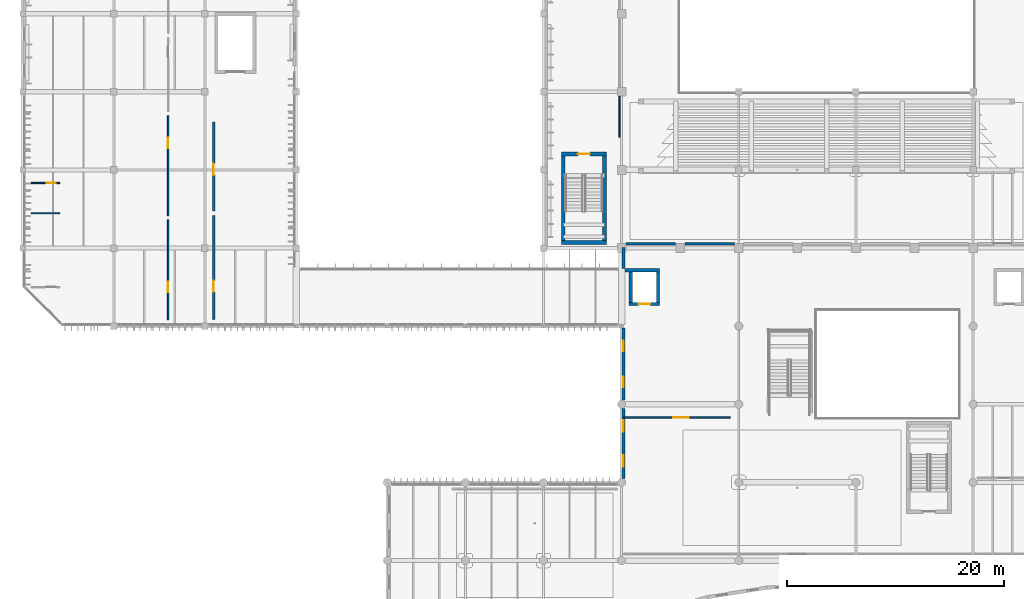
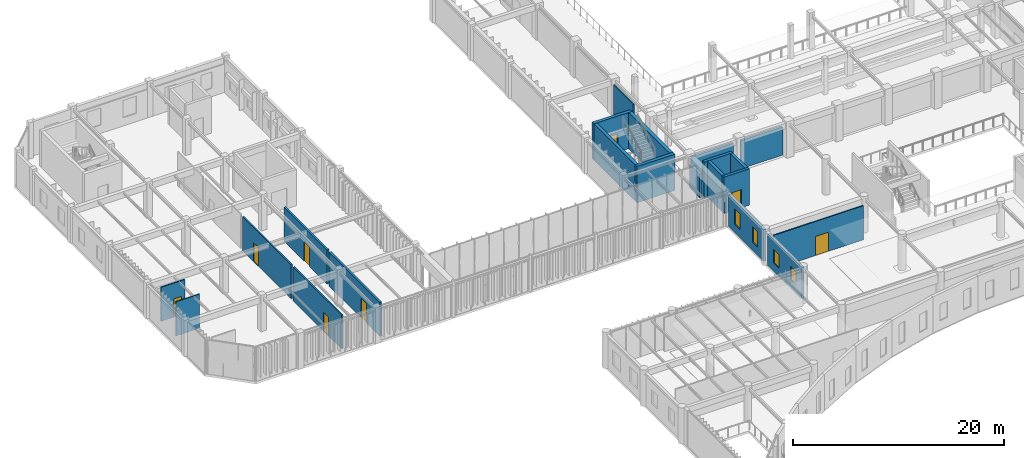
# One storey, part 39 of 122: 21 walls, 8 doors, 4 windows, 12 openings.
"""IFC4 building model written with IfcOpenShell, lengths in metres."""

from ifc_helpers import new_model, si_unit, direction, frame, frame_2d, origin, place, context, subcontext, project, spatial, rectangle, extrude, material, layer, layer_set, type_object, element, fill, save


model = new_model("IFC4")

# Units and contexts
model_context = context("Model", 3, precision=1e-05, world=origin(), true_north=direction((0.0, 1.0)))
body_context = subcontext(model_context, "Body", "Model", "MODEL_VIEW")
ifc_project = project(units=[si_unit("LENGTHUNIT", "METRE"), si_unit("AREAUNIT", "SQUARE_METRE"), si_unit("VOLUMEUNIT", "CUBIC_METRE"), si_unit("PLANEANGLEUNIT", "RADIAN"), si_unit("MASSUNIT", "GRAM", prefix="KILO")], contexts=[model_context])

# Site, building, storey
site_placement = place(None, origin())
site = spatial("IfcSite", under=ifc_project, at=site_placement, CompositionType="ELEMENT")
building_placement = place(site_placement, origin())
building = spatial("IfcBuilding", under=site, at=building_placement, Name="Tazoul Stagehouse", CompositionType="ELEMENT")
storey_placement = place(building_placement, frame((0.0, 0.0, 4.800048828125)))
storey = spatial("IfcBuildingStorey", under=building, at=storey_placement, Name="L01", CompositionType="ELEMENT", Elevation=4.800048828125)

# Walls
ifc_material_1 = material(Name="Gypsum Acoustic Partition", Category="gypsum")
ifc_layer_1 = layer(ifc_material_1, 0.25, Name="Gypsum Acoustic Partition")
ifc_layer_set_1 = layer_set([ifc_layer_1], Name="Gypsum Acoustic Partition")
wall_type_1 = type_object("IfcWallType", Name="Acoustic Hall Double-Stud Partition 250", PredefinedType="PARTITIONING", material=ifc_layer_set_1)
for number, where, z_axis, x_axis, name in (
    (1, (67.97998046875, 52.199951171875, 0.0), (0.0, 0.0, 1.0), (-1.0, 0.0, 0.0), "L01 Partition PW-250 (PW-RM-L01-035-S-S6)"),
    (2, (62.580078125, 52.199951171875, 0.0), (0.0, 0.0, 1.0), (-1.0, 0.0, 0.0), "L01 Partition PW-250 (PW-RM-L01-035-S-S7)"),
):
    element("IfcWall", number, at=place(storey_placement, frame(where, z_axis=z_axis, x_axis=x_axis)), inside=storey, type_object=wall_type_1, Name=name, PredefinedType="PARTITIONING", context=body_context, shape_type="SweptSolid", body=[
        extrude(rectangle(XDim=4.56005859375, YDim=0.25, at=frame_2d((2.280029296875, 0.0))), origin(), (0.0, 0.0, 1.0), 3.260009765625),
    ])
ifc_material_2 = material(Name="Concrete C40/50", Category="concrete")
ifc_layer_2 = layer(ifc_material_2, 0.35009765625, Name="Concrete C40/50")
ifc_layer_set_2 = layer_set([ifc_layer_2], Name="Concrete C40/50")
wall_type_2 = type_object("IfcWallType", Name="Core Shear Wall 350", PredefinedType="SOLIDWALL", material=ifc_layer_set_2)
wall_1_placement = place(storey_placement, frame((56.199951171875, 52.31494140625, 0.0), z_axis=(0.0, 0.0, 1.0), x_axis=(-1.0, 0.0, 0.0)))
element("IfcWall", 3, at=wall_1_placement, inside=storey, type_object=wall_type_2, Name="L01 Core Wall CW-350 (SHF-ST-05-south)", PredefinedType="SOLIDWALL", context=body_context, shape_type="SweptSolid", body=[
    extrude(rectangle(XDim=4.14990234375, YDim=0.35009765625, at=frame_2d((2.074951171875, 0.0))), origin(), (0.0, 0.0, 1.0), 4.199951171875),
])
wall_2_placement = place(storey_placement, frame((52.22509765625, 52.489990234375, 0.0), z_axis=(0.0, 0.0, 1.0), x_axis=(0.0, 1.0, 0.0)))
element("IfcWall", 4, at=wall_2_placement, inside=storey, type_object=wall_type_2, Name="L01 Core Wall CW-350 (SHF-ST-05-west)", PredefinedType="SOLIDWALL", context=body_context, shape_type="SweptSolid", body=[
    extrude(rectangle(XDim=7.800048828125, YDim=0.35009765625, at=frame_2d((3.89990234375, 0.0))), origin(), (0.0, 0.0, 1.0), 4.199951171875),
])

# Wall, opening, door
wall_3_placement = place(storey_placement, frame((52.050048828125, 60.465087890625, 0.0), z_axis=(0.0, 0.0, 1.0), x_axis=(1.0, 0.0, 0.0)))
wall_3 = element("IfcWall", 5, at=wall_3_placement, inside=storey, type_object=wall_type_2, Name="L01 Core Wall CW-350 (SHF-ST-05-north)", PredefinedType="SOLIDWALL", context=body_context, shape_type="SweptSolid", body=[
    extrude(rectangle(XDim=4.14990234375, YDim=0.35009765625, at=frame_2d((2.074951171875, 0.0))), origin(), (0.0, 0.0, 1.0), 4.199951171875),
])
opening_1_placement = place(wall_3_placement, frame((1.52490234375, 0.0, 0.0)))
opening_1 = element("IfcOpeningElement", 6, at=opening_1_placement, cuts=wall_3, Name="Opening FD-01", PredefinedType="OPENING", context=body_context, shape_type="SweptSolid", body=[
    extrude(rectangle(XDim=1.10009765625, YDim=2.14990234375, at=frame_2d((0.550048828125, 1.074951171875))), frame((0.0, 0.195068359375, 0.0), z_axis=(0.0, -1.0, 0.0), x_axis=(1.0, 0.0, 0.0)), (0.0, 0.0, 1.0), 0.39013671875),
])
ifc_material_3 = material(Name="Powder-Coated Galvanised Acoustic Steel", Category="steel")
door_type_1 = type_object("IfcDoorType", Name="Core Escape Stair Fire Door 1100x2150", OperationType="NOTDEFINED", PredefinedType="DOOR", material=ifc_material_3)
door_1_placement = place(opening_1_placement, origin())
door_1 = element("IfcDoor", 7, at=door_1_placement, inside=storey, type_object=door_type_1, Name="L01 Escape Stair Fire Door FD-01 (ST-05)", OperationType="SINGLE_SWING_LEFT", OverallHeight=2.14990234375, OverallWidth=1.10009765625, PredefinedType="DOOR", context=body_context, shape_type="SweptSolid", body=[
    extrude(rectangle(XDim=1.10009765625, YDim=2.14990234375, at=frame_2d((0.550048828125, 1.074951171875))), frame((0.0, 0.02490234375, 0.0), z_axis=(0.0, -1.0, 0.0), x_axis=(1.0, 0.0, 0.0)), (0.0, 0.0, 1.0), 0.050048828125),
])
fill(opening_1, door_1)

# Wall
wall_4_placement = place(storey_placement, frame((56.02490234375, 60.2900390625, 0.0), z_axis=(0.0, 0.0, 1.0), x_axis=(0.0, -1.0, 0.0)))
element("IfcWall", 8, at=wall_4_placement, inside=storey, type_object=wall_type_2, Name="L01 Core Wall CW-350 (SHF-ST-05-east)", PredefinedType="SOLIDWALL", context=body_context, shape_type="SweptSolid", body=[
    extrude(rectangle(XDim=7.800048828125, YDim=0.35009765625, at=frame_2d((3.89990234375, 0.0))), origin(), (0.0, 0.0, 1.0), 4.199951171875),
])

# Wall, opening, door
ifc_layer_3 = layer(ifc_material_1, 0.14990234375, Name="Gypsum Acoustic Partition")
ifc_layer_set_3 = layer_set([ifc_layer_3], Name="Gypsum Acoustic Partition")
wall_type_3 = type_object("IfcWallType", Name="Dressing Suite Acoustic Partition 150", PredefinedType="PARTITIONING", material=ifc_layer_set_3)
wall_5_placement = place(storey_placement, frame((15.800048828125, 54.39990234375, 0.0), z_axis=(0.0, 0.0, 1.0), x_axis=(0.0, -1.0, 0.0)))
wall_5 = element("IfcWall", 9, at=wall_5_placement, inside=storey, type_object=wall_type_3, Name="L01 Partition PW-150 (PW-RM-L01-049-E)", PredefinedType="PARTITIONING", context=body_context, shape_type="SweptSolid", body=[
    extrude(rectangle(XDim=9.199951171875, YDim=0.14990234375, at=frame_2d((4.60009765625, 0.0))), origin(), (0.0, 0.0, 1.0), 3.93994140625),
])
opening_2_placement = place(wall_5_placement, frame((5.7080078125, 0.0, 0.0)))
opening_2 = element("IfcOpeningElement", 10, at=opening_2_placement, cuts=wall_5, Name="Opening ID-03", PredefinedType="OPENING", context=body_context, shape_type="SweptSolid", body=[
    extrude(rectangle(XDim=0.949951171875, YDim=2.199951171875, at=frame_2d((0.47509765625, 1.10009765625))), frame((0.0, 0.094970703125, 0.0), z_axis=(0.0, -1.0, 0.0), x_axis=(1.0, 0.0, 0.0)), (0.0, 0.0, 1.0), 0.18994140625),
])
ifc_material_4 = material(Name="Acoustic Cedar Timber", Category="wood")
door_type_2 = type_object("IfcDoorType", Name="Dressing Suite Acoustic Door 950x2200", OperationType="NOTDEFINED", PredefinedType="DOOR", material=ifc_material_4)
door_2_placement = place(opening_2_placement, origin())
door_2 = element("IfcDoor", 11, at=door_2_placement, inside=storey, type_object=door_type_2, Name="L01 Star Dressing Suite 05 Door", OperationType="SINGLE_SWING_LEFT", OverallHeight=2.199951171875, OverallWidth=0.949951171875, PredefinedType="DOOR", context=body_context, shape_type="SweptSolid", body=[
    extrude(rectangle(XDim=0.949951171875, YDim=2.199951171875, at=frame_2d((0.47509765625, 1.10009765625))), frame((0.0, 0.02490234375, 0.0), z_axis=(0.0, -1.0, 0.0), x_axis=(1.0, 0.0, 0.0)), (0.0, 0.0, 1.0), 0.050048828125),
])
fill(opening_2, door_2)

wall_6_placement = place(storey_placement, frame((15.800048828125, 64.0, 0.0), z_axis=(0.0, 0.0, 1.0), x_axis=(0.0, -1.0, 0.0)))
wall_6 = element("IfcWall", 12, at=wall_6_placement, inside=storey, type_object=wall_type_3, Name="L01 Partition PW-150 (PW-RM-L01-051-E)", PredefinedType="PARTITIONING", context=body_context, shape_type="SweptSolid", body=[
    extrude(rectangle(XDim=9.199951171875, YDim=0.14990234375, at=frame_2d((4.60009765625, 0.0))), origin(), (0.0, 0.0, 1.0), 3.93994140625),
])
opening_3_placement = place(wall_6_placement, frame((2.0546875, 0.0, 0.0)))
opening_3 = element("IfcOpeningElement", 13, at=opening_3_placement, cuts=wall_6, Name="Opening ID-03", PredefinedType="OPENING", context=body_context, shape_type="SweptSolid", body=[
    extrude(rectangle(XDim=0.949951171875, YDim=2.199951171875, at=frame_2d((0.47509765625, 1.10009765625))), frame((0.0, 0.094970703125, 0.0), z_axis=(0.0, -1.0, 0.0), x_axis=(1.0, 0.0, 0.0)), (0.0, 0.0, 1.0), 0.18994140625),
])
door_3_placement = place(opening_3_placement, origin())
door_3 = element("IfcDoor", 14, at=door_3_placement, inside=storey, type_object=door_type_2, Name="L01 Star Dressing Suite 06 Door", OperationType="SINGLE_SWING_LEFT", OverallHeight=2.199951171875, OverallWidth=0.949951171875, PredefinedType="DOOR", context=body_context, shape_type="SweptSolid", body=[
    extrude(rectangle(XDim=0.949951171875, YDim=2.199951171875, at=frame_2d((0.47509765625, 1.10009765625))), frame((0.0, 0.02490234375, 0.0), z_axis=(0.0, -1.0, 0.0), x_axis=(1.0, 0.0, 0.0)), (0.0, 0.0, 1.0), 0.050048828125),
])
fill(opening_3, door_3)

# Wall, openings, windows
ifc_material_5 = material(Name="Precast concrete C40/50", Category="concrete")
ifc_layer_4 = layer(ifc_material_5, 0.280029296875, Name="Precast concrete C40/50")
ifc_layer_set_4 = layer_set([ifc_layer_4], Name="Precast concrete C40/50")
wall_type_4 = type_object("IfcWallType", Name="Insulated Precast Acoustic Cladding Wall 280", PredefinedType="SOLIDWALL", material=ifc_layer_set_4)
wall_7_placement = place(storey_placement, frame((57.760009765625, 30.580078125, 0.0), z_axis=(0.0, 0.0, 1.0), x_axis=(0.0, 1.0, 0.0)))
wall_7 = element("IfcWall", 15, at=wall_7_placement, inside=storey, type_object=wall_type_4, Name="L01 Wall EW-280 (WALL-V5-THRW-L01-S1)", PredefinedType="SOLIDWALL", context=body_context, shape_type="SweptSolid", body=[
    extrude(rectangle(XDim=6.43994140625, YDim=0.280029296875, at=frame_2d((3.219970703125, 0.0))), origin(), (0.0, 0.0, 1.0), 3.65283203125),
])
opening_4_placement = place(wall_7_placement, frame((1.0849609375, 0.0, 0.949951171875)))
opening_4 = element("IfcOpeningElement", 16, at=opening_4_placement, cuts=wall_7, Name="Opening WN-38", PredefinedType="OPENING", context=body_context, shape_type="SweptSolid", body=[
    extrude(rectangle(XDim=1.050048828125, YDim=1.60009765625, at=frame_2d((0.52490234375, 0.800048828125))), frame((0.0, 0.159912109375, 0.0), z_axis=(0.0, -1.0, 0.0), x_axis=(1.0, 0.0, 0.0)), (0.0, 0.0, 1.0), 0.320068359375),
])
opening_5_placement = place(wall_7_placement, frame((4.304931640625, 0.0, 0.949951171875)))
opening_5 = element("IfcOpeningElement", 17, at=opening_5_placement, cuts=wall_7, Name="Opening WN-38", PredefinedType="OPENING", context=body_context, shape_type="SweptSolid", body=[
    extrude(rectangle(XDim=1.050048828125, YDim=1.60009765625, at=frame_2d((0.52490234375, 0.800048828125))), frame((0.0, 0.159912109375, 0.0), z_axis=(0.0, -1.0, 0.0), x_axis=(1.0, 0.0, 0.0)), (0.0, 0.0, 1.0), 0.320068359375),
])
ifc_material_6 = material(Name="Double Low-E Acoustic Laminated Glass", Category="glass")
window_type_1 = type_object("IfcWindowType", Name="Architectural Acoustic Facade Window 1050x1600", PartitioningType="SINGLE_PANEL", PredefinedType="WINDOW", material=ifc_material_6)
window_1_placement = place(opening_4_placement, origin())
window_1 = element("IfcWindow", 18, at=window_1_placement, inside=storey, type_object=window_type_1, Name="L01 Window WN-38 (WALL-V5-THRW-L01-S1-W1)", OverallHeight=1.60009765625, OverallWidth=1.050048828125, PartitioningType="SINGLE_PANEL", PredefinedType="WINDOW", context=body_context, shape_type="SweptSolid", body=[
    extrude(rectangle(XDim=1.050048828125, YDim=1.60009765625, at=frame_2d((0.52490234375, 0.800048828125))), frame((0.0, 0.030029296875, 0.0), z_axis=(0.0, -1.0, 0.0), x_axis=(1.0, 0.0, 0.0)), (0.0, 0.0, 1.0), 0.06005859375),
])
fill(opening_4, window_1)
window_2_placement = place(opening_5_placement, origin())
window_2 = element("IfcWindow", 19, at=window_2_placement, inside=storey, type_object=window_type_1, Name="L01 Window WN-38 (WALL-V5-THRW-L01-S1-W2)", OverallHeight=1.60009765625, OverallWidth=1.050048828125, PartitioningType="SINGLE_PANEL", PredefinedType="WINDOW", context=body_context, shape_type="SweptSolid", body=[
    extrude(rectangle(XDim=1.050048828125, YDim=1.60009765625, at=frame_2d((0.52490234375, 0.800048828125))), frame((0.0, 0.030029296875, 0.0), z_axis=(0.0, -1.0, 0.0), x_axis=(1.0, 0.0, 0.0)), (0.0, 0.0, 1.0), 0.06005859375),
])
fill(opening_5, window_2)

wall_8_placement = place(storey_placement, frame((57.760009765625, 37.780029296875, 0.0), z_axis=(0.0, 0.0, 1.0), x_axis=(0.0, 1.0, 0.0)))
wall_8 = element("IfcWall", 20, at=wall_8_placement, inside=storey, type_object=wall_type_4, Name="L01 Wall EW-280 (WALL-V5-THRW-L01-S2)", PredefinedType="SOLIDWALL", context=body_context, shape_type="SweptSolid", body=[
    extrude(rectangle(XDim=6.653076171875, YDim=0.280029296875, at=frame_2d((3.32666015625, 0.0))), origin(), (0.0, 0.0, 1.0), 3.65283203125),
])
opening_6_placement = place(wall_8_placement, frame((1.183349609375, 0.0, 0.949951171875)))
opening_6 = element("IfcOpeningElement", 21, at=opening_6_placement, cuts=wall_8, Name="Opening WN-60", PredefinedType="OPENING", context=body_context, shape_type="SweptSolid", body=[
    extrude(rectangle(XDim=0.9599609375, YDim=1.800048828125, at=frame_2d((0.47998046875, 0.89990234375))), frame((0.0, 0.159912109375, 0.0), z_axis=(0.0, -1.0, 0.0), x_axis=(1.0, 0.0, 0.0)), (0.0, 0.0, 1.0), 0.320068359375),
])
opening_7_placement = place(wall_8_placement, frame((4.509765625, 0.0, 0.949951171875)))
opening_7 = element("IfcOpeningElement", 22, at=opening_7_placement, cuts=wall_8, Name="Opening WN-60", PredefinedType="OPENING", context=body_context, shape_type="SweptSolid", body=[
    extrude(rectangle(XDim=0.9599609375, YDim=1.800048828125, at=frame_2d((0.47998046875, 0.89990234375))), frame((0.0, 0.159912109375, 0.0), z_axis=(0.0, -1.0, 0.0), x_axis=(1.0, 0.0, 0.0)), (0.0, 0.0, 1.0), 0.320068359375),
])
window_type_2 = type_object("IfcWindowType", Name="Architectural Acoustic Facade Window 960x1800", PartitioningType="SINGLE_PANEL", PredefinedType="WINDOW", material=ifc_material_6)
window_3_placement = place(opening_6_placement, origin())
window_3 = element("IfcWindow", 23, at=window_3_placement, inside=storey, type_object=window_type_2, Name="L01 Window WN-60 (WALL-V5-THRW-L01-S2-W1)", OverallHeight=1.800048828125, OverallWidth=0.9599609375, PartitioningType="SINGLE_PANEL", PredefinedType="WINDOW", context=body_context, shape_type="SweptSolid", body=[
    extrude(rectangle(XDim=0.9599609375, YDim=1.800048828125, at=frame_2d((0.47998046875, 0.89990234375))), frame((0.0, 0.030029296875, 0.0), z_axis=(0.0, -1.0, 0.0), x_axis=(1.0, 0.0, 0.0)), (0.0, 0.0, 1.0), 0.06005859375),
])
fill(opening_6, window_3)
window_4_placement = place(opening_7_placement, origin())
window_4 = element("IfcWindow", 24, at=window_4_placement, inside=storey, type_object=window_type_2, Name="L01 Window WN-60 (WALL-V5-THRW-L01-S2-W2)", OverallHeight=1.800048828125, OverallWidth=0.9599609375, PartitioningType="SINGLE_PANEL", PredefinedType="WINDOW", context=body_context, shape_type="SweptSolid", body=[
    extrude(rectangle(XDim=0.9599609375, YDim=1.800048828125, at=frame_2d((0.47998046875, 0.89990234375))), frame((0.0, 0.030029296875, 0.0), z_axis=(0.0, -1.0, 0.0), x_axis=(1.0, 0.0, 0.0)), (0.0, 0.0, 1.0), 0.06005859375),
])
fill(opening_7, window_4)

# Wall
wall_9_placement = place(storey_placement, frame((57.760009765625, 49.89990234375, 0.0), z_axis=(0.0, 0.0, 1.0), x_axis=(0.0, 1.0, 0.0)))
element("IfcWall", 25, at=wall_9_placement, inside=storey, type_object=wall_type_4, Name="L01 Wall EW-280 (WALL-V5-THRW-N-L01)", PredefinedType="SOLIDWALL", context=body_context, shape_type="SweptSolid", body=[
    extrude(rectangle(XDim=1.9501953125, YDim=0.280029296875, at=frame_2d((0.97509765625, 0.0))), origin(), (0.0, 0.0, 1.0), 2.722900390625),
])

# Wall, opening, door
ifc_layer_5 = layer(ifc_material_2, 0.300048828125, Name="Concrete C40/50")
ifc_layer_set_5 = layer_set([ifc_layer_5], Name="Concrete C40/50")
wall_type_5 = type_object("IfcWallType", Name="Lift Shaft Wall 300", PredefinedType="SOLIDWALL", material=ifc_layer_set_5)
wall_10_placement = place(storey_placement, frame((61.10009765625, 46.64990234375, 0.0), z_axis=(0.0, 0.0, 1.0), x_axis=(-1.0, 0.0, 0.0)))
wall_10 = element("IfcWall", 26, at=wall_10_placement, inside=storey, type_object=wall_type_5, Name="L01 Core Wall CW-300 (LSHF-PL-01-south)", PredefinedType="SOLIDWALL", context=body_context, shape_type="SweptSolid", body=[
    extrude(rectangle(XDim=2.800048828125, YDim=0.300048828125, at=frame_2d((1.39990234375, 0.0))), origin(), (0.0, 0.0, 1.0), 4.199951171875),
])
opening_8_placement = place(wall_10_placement, frame((0.875, 0.0, 0.0)))
opening_8 = element("IfcOpeningElement", 27, at=opening_8_placement, cuts=wall_10, Name="Opening LD-03", PredefinedType="OPENING", context=body_context, shape_type="SweptSolid", body=[
    extrude(rectangle(XDim=1.050048828125, YDim=2.10009765625, at=frame_2d((0.52490234375, 1.050048828125))), frame((0.0, 0.169921875, 0.0), z_axis=(0.0, -1.0, 0.0), x_axis=(1.0, 0.0, 0.0)), (0.0, 0.0, 1.0), 0.340087890625),
])
door_type_3 = type_object("IfcDoorType", Name="Passenger Lift Sliding Landing Door 1050x2100", OperationType="DOUBLE_DOOR_SLIDING", PredefinedType="DOOR", material=ifc_material_3)
door_4_placement = place(opening_8_placement, origin())
door_4 = element("IfcDoor", 28, at=door_4_placement, inside=storey, type_object=door_type_3, Name="L01 Lift Landing Sliding Door LD-03 (PL-01)", OperationType="DOUBLE_DOOR_SLIDING", OverallHeight=2.10009765625, OverallWidth=1.050048828125, PredefinedType="DOOR", context=body_context, shape_type="SweptSolid", body=[
    extrude(rectangle(XDim=1.050048828125, YDim=2.10009765625, at=frame_2d((0.52490234375, 1.050048828125))), frame((0.0, 0.02490234375, 0.0), z_axis=(0.0, -1.0, 0.0), x_axis=(1.0, 0.0, 0.0)), (0.0, 0.0, 1.0), 0.050048828125),
])
fill(opening_8, door_4)

# Walls
wall_11_placement = place(storey_placement, frame((58.449951171875, 46.800048828125, 0.0), z_axis=(0.0, 0.0, 1.0), x_axis=(0.0, 1.0, 0.0)))
element("IfcWall", 29, at=wall_11_placement, inside=storey, type_object=wall_type_5, Name="L01 Core Wall CW-300 (LSHF-PL-01-west)", PredefinedType="SOLIDWALL", context=body_context, shape_type="SweptSolid", body=[
    extrude(rectangle(XDim=2.800048828125, YDim=0.300048828125, at=frame_2d((1.39990234375, 0.0))), origin(), (0.0, 0.0, 1.0), 4.199951171875),
])
wall_12_placement = place(storey_placement, frame((57.909912109375, 49.75, 0.0), z_axis=(0.0, 0.0, 1.0), x_axis=(1.0, 0.0, 0.0)))
element("IfcWall", 30, at=wall_12_placement, inside=storey, type_object=wall_type_5, Name="L01 Core Wall CW-300 (LSHF-PL-01-north)", PredefinedType="SOLIDWALL", context=body_context, shape_type="SweptSolid", body=[
    extrude(rectangle(XDim=3.190185546875, YDim=0.300048828125, at=frame_2d((1.59521484375, 0.0))), origin(), (0.0, 0.0, 1.0), 4.199951171875),
])
wall_13_placement = place(storey_placement, frame((60.949951171875, 49.60009765625, 0.0), z_axis=(0.0, 0.0, 1.0), x_axis=(0.0, -1.0, 0.0)))
element("IfcWall", 31, at=wall_13_placement, inside=storey, type_object=wall_type_5, Name="L01 Core Wall CW-300 (LSHF-PL-01-east)", PredefinedType="SOLIDWALL", context=body_context, shape_type="SweptSolid", body=[
    extrude(rectangle(XDim=2.800048828125, YDim=0.300048828125, at=frame_2d((1.39990234375, 0.0))), origin(), (0.0, 0.0, 1.0), 4.199951171875),
])
ifc_layer_6 = layer(ifc_material_1, 0.1298828125, Name="Gypsum Acoustic Partition")
ifc_layer_set_6 = layer_set([ifc_layer_6], Name="Gypsum Acoustic Partition")
wall_type_6 = type_object("IfcWallType", Name="Office Drywall Partition 130", PredefinedType="PARTITIONING", material=ifc_layer_set_6)
wall_14_placement = place(storey_placement, frame((57.39990234375, 65.780029296875, 0.0), z_axis=(0.0, 0.0, 1.0), x_axis=(0.0, -1.0, 0.0)))
element("IfcWall", 32, at=wall_14_placement, inside=storey, type_object=wall_type_6, Name="L01 Partition PW-130 (PW-RM-L01-111-E-S4)", PredefinedType="PARTITIONING", context=body_context, shape_type="SweptSolid", body=[
    extrude(rectangle(XDim=3.780029296875, YDim=0.1298828125, at=frame_2d((1.89013671875, 0.0))), origin(), (0.0, 0.0, 1.0), 3.550048828125),
])

# Wall, opening, door
wall_15_placement = place(storey_placement, frame((67.60009765625, 36.199951171875, 0.0), z_axis=(0.0, 0.0, 1.0), x_axis=(-1.0, 0.0, 0.0)))
wall_15 = element("IfcWall", 33, at=wall_15_placement, inside=storey, type_object=wall_type_6, Name="L01 Partition PW-130 (PW-RM-L01-117-S)", PredefinedType="PARTITIONING", context=body_context, shape_type="SweptSolid", body=[
    extrude(rectangle(XDim=9.800048828125, YDim=0.1298828125, at=frame_2d((4.89990234375, 0.0))), origin(), (0.0, 0.0, 1.0), 3.93994140625),
])
opening_9_placement = place(wall_15_placement, frame((3.8046875, 0.0, 0.0)))
opening_9 = element("IfcOpeningElement", 34, at=opening_9_placement, cuts=wall_15, Name="Opening ID-21", PredefinedType="OPENING", context=body_context, shape_type="SweptSolid", body=[
    extrude(rectangle(XDim=1.449951171875, YDim=2.199951171875, at=frame_2d((0.72509765625, 1.10009765625))), frame((0.0, 0.0849609375, 0.0), z_axis=(0.0, -1.0, 0.0), x_axis=(1.0, 0.0, 0.0)), (0.0, 0.0, 1.0), 0.169921875),
])
door_type_4 = type_object("IfcDoorType", Name="Press Conference Double Door 1450x2200", OperationType="DOUBLE_DOOR_SINGLE_SWING", PredefinedType="DOOR", material=ifc_material_4)
door_5_placement = place(opening_9_placement, origin())
door_5 = element("IfcDoor", 35, at=door_5_placement, inside=storey, type_object=door_type_4, Name="L01 Dress Circle West Patron Gallery Door", OperationType="DOUBLE_DOOR_SINGLE_SWING", OverallHeight=2.199951171875, OverallWidth=1.449951171875, PredefinedType="DOOR", context=body_context, shape_type="SweptSolid", body=[
    extrude(rectangle(XDim=1.449951171875, YDim=2.199951171875, at=frame_2d((0.72509765625, 1.10009765625))), frame((0.0, 0.02490234375, 0.0), z_axis=(0.0, -1.0, 0.0), x_axis=(1.0, 0.0, 0.0)), (0.0, 0.0, 1.0), 0.050048828125),
])
fill(opening_9, door_5)

ifc_layer_7 = layer(ifc_material_1, 0.2099609375, Name="Gypsum Acoustic Partition")
ifc_layer_set_7 = layer_set([ifc_layer_7], Name="Gypsum Acoustic Partition")
wall_type_7 = type_object("IfcWallType", Name="Rehearsal Room Acoustic Partition 210", PredefinedType="PARTITIONING", material=ifc_layer_set_7)
wall_16_placement = place(storey_placement, frame((20.0, 45.199951171875, 0.0), z_axis=(0.0, 0.0, 1.0), x_axis=(0.0, 1.0, 0.0)))
wall_16 = element("IfcWall", 36, at=wall_16_placement, inside=storey, type_object=wall_type_7, Name="L01 Partition PW-210 (PW-RM-L01-053-W)", PredefinedType="PARTITIONING", context=body_context, shape_type="SweptSolid", body=[
    extrude(rectangle(XDim=9.60009765625, YDim=0.2099609375, at=frame_2d((4.800048828125, 0.0))), origin(), (0.0, 0.0, 1.0), 3.93994140625),
])
opening_10_placement = place(wall_16_placement, frame((2.557861328125, 0.0, 0.0)))
opening_10 = element("IfcOpeningElement", 37, at=opening_10_placement, cuts=wall_16, Name="Opening ID-08", PredefinedType="OPENING", context=body_context, shape_type="SweptSolid", body=[
    extrude(rectangle(XDim=1.050048828125, YDim=2.25, at=frame_2d((0.52490234375, 1.125))), frame((0.0, 0.125, 0.0), z_axis=(0.0, -1.0, 0.0), x_axis=(1.0, 0.0, 0.0)), (0.0, 0.0, 1.0), 0.25),
])
door_type_5 = type_object("IfcDoorType", Name="Warm-Up Studio Acoustic Door 1050x2250", OperationType="NOTDEFINED", PredefinedType="DOOR", material=ifc_material_4)
door_6_placement = place(opening_10_placement, origin())
door_6 = element("IfcDoor", 38, at=door_6_placement, inside=storey, type_object=door_type_5, Name="L01 Electro-Acoustic Sound Recording Studio Door", OperationType="SINGLE_SWING_RIGHT", OverallHeight=2.25, OverallWidth=1.050048828125, PredefinedType="DOOR", context=body_context, shape_type="SweptSolid", body=[
    extrude(rectangle(XDim=1.050048828125, YDim=2.25, at=frame_2d((0.52490234375, 1.125))), frame((0.0, 0.02490234375, 0.0), z_axis=(0.0, -1.0, 0.0), x_axis=(1.0, 0.0, 0.0)), (0.0, 0.0, 1.0), 0.050048828125),
])
fill(opening_10, door_6)

wall_17_placement = place(storey_placement, frame((20.0, 55.199951171875, 0.0), z_axis=(0.0, 0.0, 1.0), x_axis=(0.0, 1.0, 0.0)))
wall_17 = element("IfcWall", 39, at=wall_17_placement, inside=storey, type_object=wall_type_7, Name="L01 Partition PW-210 (PW-RM-L01-054-W)", PredefinedType="PARTITIONING", context=body_context, shape_type="SweptSolid", body=[
    extrude(rectangle(XDim=8.199951171875, YDim=0.2099609375, at=frame_2d((4.10009765625, 0.0))), origin(), (0.0, 0.0, 1.0), 3.93994140625),
])
opening_11_placement = place(wall_17_placement, frame((3.326904296875, 0.0, 0.0)))
opening_11 = element("IfcOpeningElement", 40, at=opening_11_placement, cuts=wall_17, Name="Opening ID-08", PredefinedType="OPENING", context=body_context, shape_type="SweptSolid", body=[
    extrude(rectangle(XDim=1.050048828125, YDim=2.25, at=frame_2d((0.52490234375, 1.125))), frame((0.0, 0.125, 0.0), z_axis=(0.0, -1.0, 0.0), x_axis=(1.0, 0.0, 0.0)), (0.0, 0.0, 1.0), 0.25),
])
door_7_placement = place(opening_11_placement, origin())
door_7 = element("IfcDoor", 41, at=door_7_placement, inside=storey, type_object=door_type_5, Name="L01 Experimental Dramaturgy Media Lab Door", OperationType="SINGLE_SWING_LEFT", OverallHeight=2.25, OverallWidth=1.050048828125, PredefinedType="DOOR", context=body_context, shape_type="SweptSolid", body=[
    extrude(rectangle(XDim=1.050048828125, YDim=2.25, at=frame_2d((0.52490234375, 1.125))), frame((0.0, 0.02490234375, 0.0), z_axis=(0.0, -1.0, 0.0), x_axis=(1.0, 0.0, 0.0)), (0.0, 0.0, 1.0), 0.050048828125),
])
fill(opening_11, door_7)

ifc_layer_8 = layer(ifc_material_1, 0.110107421875, Name="Gypsum Acoustic Partition")
ifc_layer_set_8 = layer_set([ifc_layer_8], Name="Gypsum Acoustic Partition")
wall_type_8 = type_object("IfcWallType", Name="Wet-Area Tile Backing Partition 110", PredefinedType="PARTITIONING", material=ifc_layer_set_8)
wall_18_placement = place(storey_placement, frame((3.199951171875, 57.800048828125, 0.0), z_axis=(0.0, 0.0, 1.0), x_axis=(1.0, 0.0, 0.0)))
wall_18 = element("IfcWall", 42, at=wall_18_placement, inside=storey, type_object=wall_type_8, Name="L01 Partition PW-110 (PW-RM-L01-050-N)", PredefinedType="PARTITIONING", context=body_context, shape_type="SweptSolid", body=[
    extrude(rectangle(XDim=2.60009765625, YDim=0.110107421875, at=frame_2d((1.300048828125, 0.0))), origin(), (0.0, 0.0, 1.0), 3.93994140625),
])
opening_12_placement = place(wall_18_placement, frame((1.39990234375, 0.0, 0.0)))
opening_12 = element("IfcOpeningElement", 43, at=opening_12_placement, cuts=wall_18, Name="Opening ID-01", PredefinedType="OPENING", context=body_context, shape_type="SweptSolid", body=[
    extrude(rectangle(XDim=0.85009765625, YDim=2.10009765625, at=frame_2d((0.425048828125, 1.050048828125))), frame((0.0, 0.074951171875, 0.0), z_axis=(0.0, -1.0, 0.0), x_axis=(1.0, 0.0, 0.0)), (0.0, 0.0, 1.0), 0.150146484375),
])
door_type_6 = type_object("IfcDoorType", Name="En-Suite Bathroom Door 850x2100", OperationType="NOTDEFINED", PredefinedType="DOOR", material=ifc_material_4)
door_8_placement = place(opening_12_placement, origin())
door_8 = element("IfcDoor", 44, at=door_8_placement, inside=storey, type_object=door_type_6, Name="L01 En-Suite Shower WC 06 Door", OperationType="SINGLE_SWING_RIGHT", OverallHeight=2.10009765625, OverallWidth=0.85009765625, PredefinedType="DOOR", context=body_context, shape_type="SweptSolid", body=[
    extrude(rectangle(XDim=0.85009765625, YDim=2.10009765625, at=frame_2d((0.425048828125, 1.050048828125))), frame((0.0, 0.02490234375, 0.0), z_axis=(0.0, -1.0, 0.0), x_axis=(1.0, 0.0, 0.0)), (0.0, 0.0, 1.0), 0.050048828125),
])
fill(opening_12, door_8)

# Wall
wall_19_placement = place(storey_placement, frame((5.800048828125, 55.0, 0.0), z_axis=(0.0, 0.0, 1.0), x_axis=(-1.0, 0.0, 0.0)))
element("IfcWall", 45, at=wall_19_placement, inside=storey, type_object=wall_type_8, Name="L01 Partition PW-110 (PW-RM-L01-050-S)", PredefinedType="PARTITIONING", context=body_context, shape_type="SweptSolid", body=[
    extrude(rectangle(XDim=2.60009765625, YDim=0.110107421875, at=frame_2d((1.300048828125, 0.0))), origin(), (0.0, 0.0, 1.0), 3.93994140625),
])

save(model, "model.ifc")
